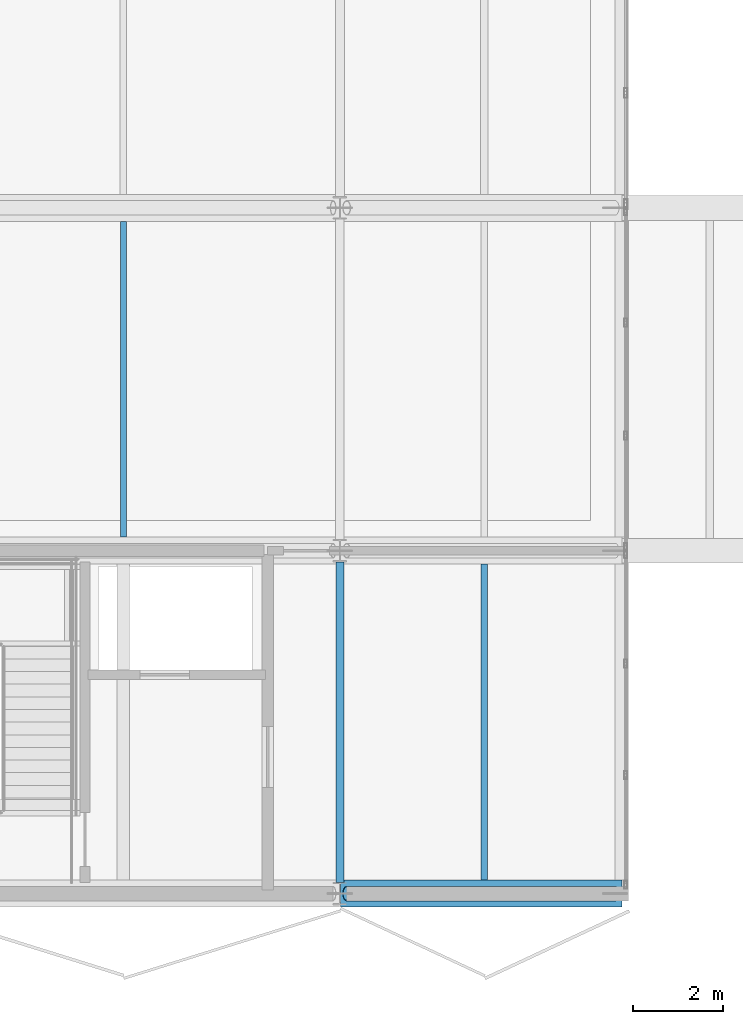
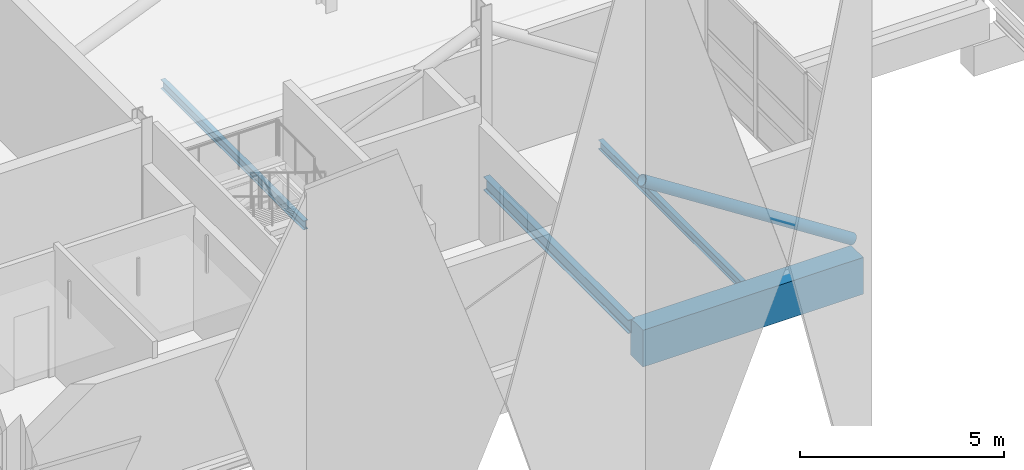
# One storey, part 10 of 107: 4 beams, 1 member.
"""IFC4 building model written with IfcOpenShell, lengths in metres."""

from ifc_helpers import new_model, si_unit, direction, frame, origin, origin_2d, place, context, subcontext, project, spatial, rectangle, hollow_circle, i_section, extrude, material, material_profile, profile_set, type_object, element, save


model = new_model("IFC4")

# Units and contexts
model_context = context("Model", 3, precision=1e-05, world=origin(), true_north=direction((0.0, 1.0)))
body_context = subcontext(model_context, "Body", "Model", "MODEL_VIEW")
ifc_project = project(units=[si_unit("LENGTHUNIT", "METRE"), si_unit("AREAUNIT", "SQUARE_METRE"), si_unit("VOLUMEUNIT", "CUBIC_METRE"), si_unit("PLANEANGLEUNIT", "RADIAN"), si_unit("MASSUNIT", "GRAM", prefix="KILO")], contexts=[model_context])

# Site, building, storey
site_placement = place(None, origin())
site = spatial("IfcSite", under=ifc_project, at=site_placement, CompositionType="ELEMENT")
building_placement = place(site_placement, origin())
building = spatial("IfcBuilding", under=site, at=building_placement, Name="Khelvaren Railside Concert Hall", CompositionType="ELEMENT")
storey_placement = place(building_placement, frame((0.0, 0.0, 15.0)))
storey = spatial("IfcBuildingStorey", under=building, at=storey_placement, Name="L03", CompositionType="ELEMENT", Elevation=15.0)

# Beam
ifc_material_1 = material(Name="Steel S355", Category="steel")
ifc_material_profile_1 = material_profile(ifc_material_1, i_section(OverallWidth=0.179931640625, OverallDepth=0.39990234375, WebThickness=0.008544921875, FlangeThickness=0.013427734375, FilletRadius=0.02099609375, at=origin_2d()), Name="IPE 400")
ifc_profile_set_1 = profile_set([ifc_material_profile_1], Name="Steel S355")
beam_type_1 = type_object("IfcBeamType", Name="BM29", PredefinedType="BEAM", material=ifc_profile_set_1)
beam_1_placement = place(storey_placement, frame((49.60009765625, 0.25, -0.47998046875), z_axis=(0.0, 1.0, 0.0), x_axis=(-1.0, 0.0, 0.0)))
element("IfcBeam", 1, at=beam_1_placement, inside=storey, type_object=beam_type_1, Name="V1 L03 Beam Y7.1", PredefinedType="BEAM", context=body_context, shape_type="SweptSolid", body=[
    extrude(i_section(OverallWidth=0.179931640625, OverallDepth=0.39990234375, WebThickness=0.008544921875, FlangeThickness=0.013427734375, FilletRadius=0.02099609375, at=origin_2d()), origin(), (0.0, 0.0, 1.0), 7.10009765625),
])

# Member
ifc_material_profile_2 = material_profile(ifc_material_1, hollow_circle(Radius=0.161865234375, WallThickness=0.01611328125, at=origin_2d()), Name="CHS 323.9x16")
ifc_profile_set_2 = profile_set([ifc_material_profile_2], Name="Steel S355")
member_type = type_object("IfcMemberType", Name="BR78", PredefinedType="BRACE", material=ifc_profile_set_2)
member_placement = place(storey_placement, frame((49.75, 0.0, 3.97998046875), z_axis=(0.840849865516, 0.0, -0.541268421083), x_axis=(0.0, 1.0, 0.0)))
element("IfcMember", 2, at=member_placement, inside=storey, type_object=member_type, Name="V1 L03 Plaza Cantilever Truss Diagonal 1A", PredefinedType="BRACE", context=body_context, shape_type="SweptSolid", body=[
    extrude(hollow_circle(Radius=0.161865234375, WallThickness=0.01611328125, at=origin_2d()), origin(), (0.0, 0.0, 1.0), 7.076171875),
])

# Beams
ifc_material_2 = material(Name="Concrete C40/50", Category="concrete")
ifc_material_profile_3 = material_profile(ifc_material_2, rectangle(XDim=0.60009765625, YDim=1.10009765625, at=origin_2d()), Name="RCB 600x1100")
ifc_profile_set_3 = profile_set([ifc_material_profile_3], Name="Concrete C40/50")
beam_type_2 = type_object("IfcBeamType", Name="GR15", PredefinedType="T_BEAM", material=ifc_profile_set_3)
beam_2_placement = place(storey_placement, frame((49.610107421875, 0.0, -0.830078125), z_axis=(1.0, 0.0, 0.0), x_axis=(0.0, 1.0, 0.0)))
element("IfcBeam", 3, at=beam_2_placement, inside=storey, type_object=beam_type_2, Name="V1 L03 Arrival Cantilever Girder 1", PredefinedType="T_BEAM", context=body_context, shape_type="SweptSolid", body=[
    extrude(rectangle(XDim=0.60009765625, YDim=1.10009765625, at=origin_2d()), origin(), (0.0, 0.0, 1.0), 6.239990234375),
])
ifc_material_profile_4 = material_profile(ifc_material_1, i_section(OverallWidth=0.135009765625, OverallDepth=0.27001953125, WebThickness=0.006591796875, FlangeThickness=0.01025390625, FilletRadius=0.014892578125, at=origin_2d()), Name="IPE 270")
ifc_profile_set_4 = profile_set([ifc_material_profile_4], Name="Steel S355")
beam_type_3 = type_object("IfcBeamType", Name="JS78", PredefinedType="JOIST", material=ifc_profile_set_4)
for number, where, z_axis, x_axis, name in (
    (4, (44.800048828125, 7.89990234375, -0.4150390625), (0.0, 1.0, 0.0), (-1.0, 0.0, 0.0), "V1 L03 Secondary Joist 6.2"),
    (5, (52.800048828125, 0.300048828125, -0.4150390625), (0.0, 1.0, 0.0), (-1.0, 0.0, 0.0), "V1 L03 Secondary Joist 7.1"),
):
    element("IfcBeam", number, at=place(storey_placement, frame(where, z_axis=z_axis, x_axis=x_axis)), inside=storey, type_object=beam_type_3, Name=name, PredefinedType="JOIST", context=body_context, shape_type="SweptSolid", body=[
        extrude(i_section(OverallWidth=0.135009765625, OverallDepth=0.27001953125, WebThickness=0.006591796875, FlangeThickness=0.01025390625, FilletRadius=0.014892578125, at=origin_2d()), origin(), (0.0, 0.0, 1.0), 7.0),
    ])

save(model, "model.ifc")
